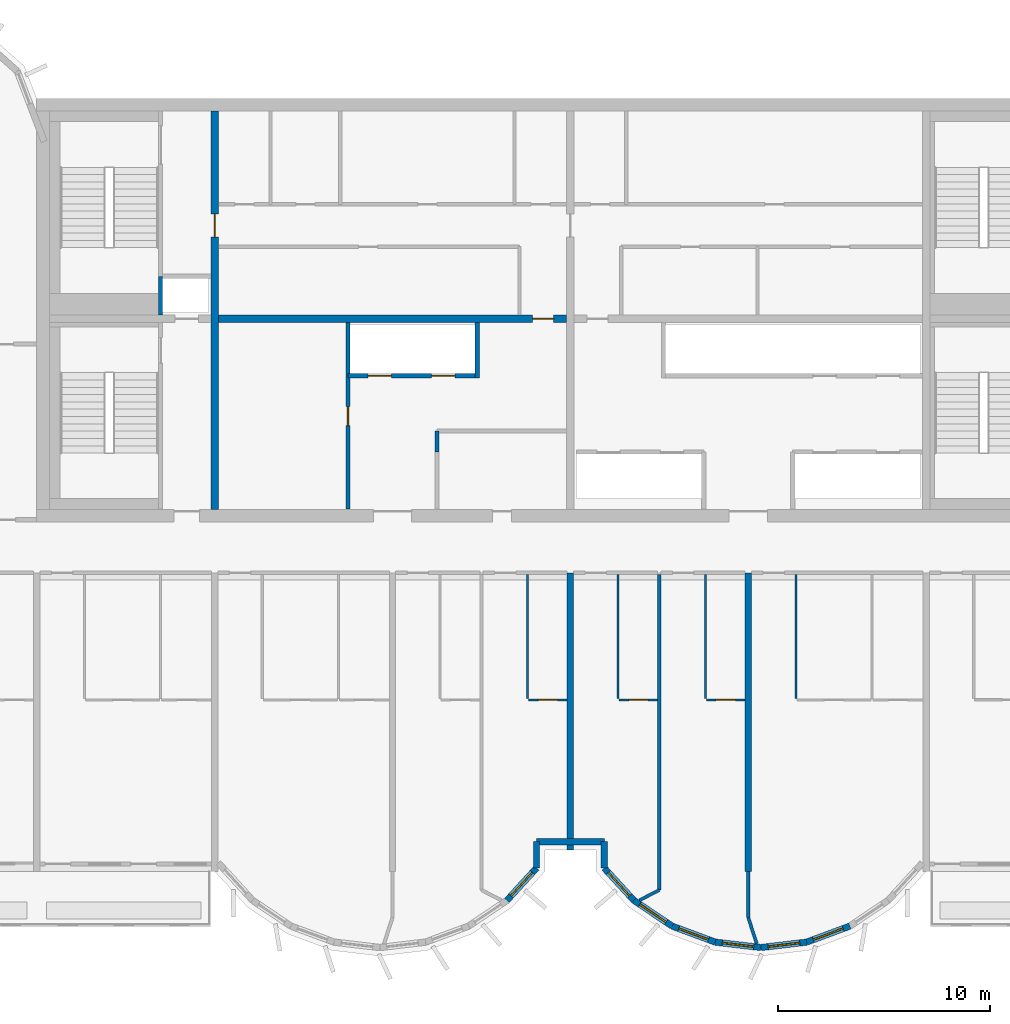
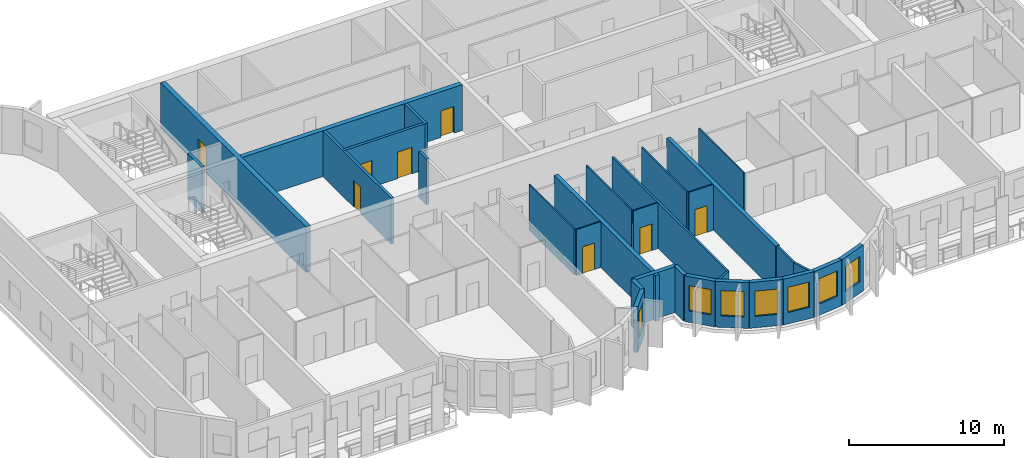
# One storey, part 4 of 11: 30 walls, 8 doors, 7 windows, 15 openings.
"""IFC4 building model written with IfcOpenShell, lengths in metres."""

from ifc_helpers import new_model, si_unit, direction, frame, frame_2d, origin, place, context, subcontext, project, spatial, rectangle, extrude, source, transform, mapped, material, layer, layer_set, type_object, element, fill, save


model = new_model("IFC4")

# Units and contexts
model_context = context("Model", 3, precision=1e-05, world=origin(), true_north=direction((0.0, 1.0)))
body_context = subcontext(model_context, "Body", "Model", "MODEL_VIEW")
ifc_project = project(units=[si_unit("LENGTHUNIT", "METRE"), si_unit("AREAUNIT", "SQUARE_METRE"), si_unit("VOLUMEUNIT", "CUBIC_METRE"), si_unit("PLANEANGLEUNIT", "RADIAN"), si_unit("MASSUNIT", "GRAM", prefix="KILO")], contexts=[model_context])

# Site, building, storey
site_placement = place(None, origin())
site = spatial("IfcSite", under=ifc_project, at=site_placement, CompositionType="ELEMENT")
building_placement = place(site_placement, origin())
building = spatial("IfcBuilding", under=site, at=building_placement, Name="Vanashikhar Sky Hotel", CompositionType="ELEMENT")
storey_placement = place(building_placement, frame((0.0, 0.0, 256.89990234375)))
storey = spatial("IfcBuildingStorey", under=building, at=storey_placement, Name="L62", CompositionType="ELEMENT", Elevation=256.89990234375)

# Wall, opening, door
ifc_material_1 = material(Name="Concrete M60", Category="concrete")
ifc_layer_1 = layer(ifc_material_1, 0.35009765625)
ifc_layer_set_1 = layer_set([ifc_layer_1], Name="RC core inner wall 350 Concrete M60")
wall_type_1 = type_object("IfcWallType", Name="RC core inner wall 350 Concrete M60", PredefinedType="SHEAR", material=ifc_layer_set_1)
shared_shape_1 = source(origin(), body_context, "Body", "SweptSolid", [
    extrude(rectangle(XDim=18.7998046875, YDim=0.35009765625, at=frame_2d((9.39990234375, 0.0))), origin(), (0.0, 0.0, 1.0), 3.6201171875),
])
wall_1_placement = place(storey_placement, frame((33.60009765625, 22.60009765625, 0.0), z_axis=(0.0, 0.0, 1.0), x_axis=(0.0, 1.0, 0.0)))
wall_1 = element("IfcWall", 1, at=wall_1_placement, inside=storey, type_object=wall_type_1, Name="KW-L62-KX1", PredefinedType="SHEAR", context=body_context, shape_type="MappedRepresentation", body=[
    mapped(shared_shape_1, transform((0.0, 0.0, 0.0), scale=1.0)),
])
shared_shape_2 = source(origin(), body_context, "Body", "SweptSolid", [
    extrude(rectangle(XDim=1.10009765625, YDim=2.10009765625, at=frame_2d((0.550048828125, 1.050048828125))), frame((0.0, 0.18505859375, 0.0), z_axis=(0.0, -1.0, 0.0), x_axis=(1.0, 0.0, 0.0)), (0.0, 0.0, 1.0), 0.3701171875),
])
opening_1_placement = place(wall_1_placement, frame((12.85009765625, 0.0, 0.0)))
opening_1 = element("IfcOpeningElement", 2, at=opening_1_placement, cuts=wall_1, Name="Opening DC-4-C", PredefinedType="OPENING", context=body_context, shape_type="MappedRepresentation", body=[
    mapped(shared_shape_2, transform((0.0, 0.0, 0.0), scale=1.0)),
])
ifc_material_2 = material(Name="Steel", Category="steel")
door_type_1 = type_object("IfcDoorType", Name="Service door 1100 FD60", OperationType="NOTDEFINED", PredefinedType="DOOR", material=ifc_material_2)
shared_shape_3 = source(origin(), body_context, "Body", "SweptSolid", [
    extrude(rectangle(XDim=1.10009765625, YDim=2.10009765625, at=frame_2d((0.550048828125, 1.050048828125))), frame((0.0, 0.02490234375, 0.0), z_axis=(0.0, -1.0, 0.0), x_axis=(1.0, 0.0, 0.0)), (0.0, 0.0, 1.0), 0.050048828125),
])
door_1_placement = place(opening_1_placement, origin())
door_1 = element("IfcDoor", 3, at=door_1_placement, inside=storey, type_object=door_type_1, Name="Service door 1100 FD60", OperationType="SINGLE_SWING_LEFT", OverallHeight=2.10009765625, OverallWidth=1.10009765625, PredefinedType="DOOR", context=body_context, shape_type="MappedRepresentation", body=[
    mapped(shared_shape_3, transform((0.0, 0.0, 0.0), scale=1.0)),
])
fill(opening_1, door_1)

shared_shape_4 = source(origin(), body_context, "Body", "SweptSolid", [
    extrude(rectangle(XDim=16.4501953125, YDim=0.35009765625, at=frame_2d((8.22509765625, 0.0))), origin(), (0.0, 0.0, 1.0), 3.6201171875),
])
wall_2_placement = place(storey_placement, frame((33.77490234375, 31.60009765625, 0.0), z_axis=(0.0, 0.0, 1.0), x_axis=(1.0, 0.0, 0.0)))
wall_2 = element("IfcWall", 4, at=wall_2_placement, inside=storey, type_object=wall_type_1, Name="KW-L62-KY2", PredefinedType="SHEAR", context=body_context, shape_type="MappedRepresentation", body=[
    mapped(shared_shape_4, transform((0.0, 0.0, 0.0), scale=1.0)),
])
shared_shape_5 = source(origin(), body_context, "Body", "SweptSolid", [
    extrude(rectangle(XDim=1.0, YDim=2.10009765625, at=frame_2d((0.5, 1.050048828125))), frame((0.0, 0.18505859375, 0.0), z_axis=(0.0, -1.0, 0.0), x_axis=(1.0, 0.0, 0.0)), (0.0, 0.0, 1.0), 0.3701171875),
])
opening_2_placement = place(wall_2_placement, frame((14.8369140625, 0.0, 0.0)))
opening_2 = element("IfcOpeningElement", 5, at=opening_2_placement, cuts=wall_2, Name="Opening DC-4", PredefinedType="OPENING", context=body_context, shape_type="MappedRepresentation", body=[
    mapped(shared_shape_5, transform((0.0, 0.0, 0.0), scale=1.0)),
])
door_type_2 = type_object("IfcDoorType", Name="Service door 1000 FD60", OperationType="NOTDEFINED", PredefinedType="DOOR", material=ifc_material_2)
shared_shape_6 = source(origin(), body_context, "Body", "SweptSolid", [
    extrude(rectangle(XDim=1.0, YDim=2.10009765625, at=frame_2d((0.5, 1.050048828125))), frame((0.0, 0.02490234375, 0.0), z_axis=(0.0, -1.0, 0.0), x_axis=(1.0, 0.0, 0.0)), (0.0, 0.0, 1.0), 0.050048828125),
])
door_2_placement = place(opening_2_placement, origin())
door_2 = element("IfcDoor", 6, at=door_2_placement, inside=storey, type_object=door_type_2, Name="Service door 1000 FD60", OperationType="SINGLE_SWING_LEFT", OverallHeight=2.10009765625, OverallWidth=1.0, PredefinedType="DOOR", context=body_context, shape_type="MappedRepresentation", body=[
    mapped(shared_shape_6, transform((0.0, 0.0, 0.0), scale=1.0)),
])
fill(opening_2, door_2)

# Walls
ifc_layer_2 = layer(ifc_material_1, 0.300048828125)
ifc_layer_set_2 = layer_set([ifc_layer_2], Name="RC shear wall 300 Concrete M60")
wall_type_2 = type_object("IfcWallType", Name="RC shear wall 300 Concrete M60", PredefinedType="SHEAR", material=ifc_layer_set_2)
shared_shape_7 = source(origin(), body_context, "Body", "SweptSolid", [
    extrude(rectangle(XDim=14.10009765625, YDim=0.300048828125, at=frame_2d((7.050048828125, 0.0))), origin(), (0.0, 0.0, 1.0), 3.6201171875),
])
wall_3_placement = place(storey_placement, frame((58.800048828125, 5.5, 0.0), z_axis=(0.0, 0.0, 1.0), x_axis=(0.0, 1.0, 0.0)))
element("IfcWall", 7, at=wall_3_placement, inside=storey, type_object=wall_type_2, Name="CW-L62-XW08-1", PredefinedType="SHEAR", context=body_context, shape_type="MappedRepresentation", body=[
    mapped(shared_shape_7, transform((0.0, 0.0, 0.0), scale=1.0)),
])
shared_shape_8 = source(origin(), body_context, "Body", "SweptSolid", [
    extrude(rectangle(XDim=13.10009765625, YDim=0.300048828125, at=frame_2d((6.550048828125, 0.0))), origin(), (0.0, 0.0, 1.0), 3.6201171875),
])
wall_4_placement = place(storey_placement, frame((50.39990234375, 6.5, 0.0), z_axis=(0.0, 0.0, 1.0), x_axis=(0.0, 1.0, 0.0)))
element("IfcWall", 8, at=wall_4_placement, inside=storey, type_object=wall_type_2, Name="CW-L62-XW07-1", PredefinedType="SHEAR", context=body_context, shape_type="MappedRepresentation", body=[
    mapped(shared_shape_8, transform((0.0, 0.0, 0.0), scale=1.0)),
])

# Wall, opening, window
ifc_material_3 = material(Name="Concrete M50", Category="concrete")
ifc_layer_3 = layer(ifc_material_3, 0.300048828125)
ifc_layer_set_3 = layer_set([ifc_layer_3], Name="Lobe wall 300")
wall_type_3 = type_object("IfcWallType", Name="Lobe wall 300", PredefinedType="SOLIDWALL", material=ifc_layer_set_3)
shared_shape_9 = source(origin(), body_context, "Body", "SweptSolid", [
    extrude(rectangle(XDim=2.17578125, YDim=0.300048828125, at=frame_2d((1.087890625, 0.0))), origin(), (0.0, 0.0, 1.0), 3.6201171875),
])
wall_5_placement = place(storey_placement, frame((53.395751953125, 4.13134765625, 0.0), z_axis=(0.0, 0.0, 1.0), x_axis=(0.829590746428, -0.558371913192, 0.0)))
wall_5 = element("IfcWall", 9, at=wall_5_placement, inside=storey, type_object=wall_type_3, Name="Lobe wall", PredefinedType="SOLIDWALL", context=body_context, shape_type="MappedRepresentation", body=[
    mapped(shared_shape_9, transform((0.0, 0.0, 0.0), scale=1.0)),
])
shared_shape_10 = source(origin(), body_context, "Body", "SweptSolid", [
    extrude(rectangle(XDim=1.5, YDim=2.0, at=frame_2d((0.75, 1.0))), frame((0.0, 0.16015625, 0.0), z_axis=(0.0, -1.0, 0.0), x_axis=(1.0, 0.0, 0.0)), (0.0, 0.0, 1.0), 0.320068359375),
])
opening_3_placement = place(wall_5_placement, frame((0.337890625, 0.0, 0.89990234375)))
opening_3 = element("IfcOpeningElement", 10, at=opening_3_placement, cuts=wall_5, Name="Opening WN-2", PredefinedType="OPENING", context=body_context, shape_type="MappedRepresentation", body=[
    mapped(shared_shape_10, transform((0.0, 0.0, 0.0), scale=1.0)),
])
ifc_material_4 = material(Name="Glass", Category="glass")
window_type = type_object("IfcWindowType", Name="Lobe window 1500 x 2000", PartitioningType="SINGLE_PANEL", PredefinedType="WINDOW", material=ifc_material_4)
shared_shape_11 = source(origin(), body_context, "Body", "SweptSolid", [
    extrude(rectangle(XDim=1.5, YDim=2.0, at=frame_2d((0.75, 1.0))), frame((0.0, 0.030029296875, 0.0), z_axis=(0.0, -1.0, 0.0), x_axis=(1.0, 0.0, 0.0)), (0.0, 0.0, 1.0), 0.06005859375),
])
window_1_placement = place(opening_3_placement, origin())
window_1 = element("IfcWindow", 11, at=window_1_placement, inside=storey, type_object=window_type, Name="Window WN-2", OverallHeight=2.0, OverallWidth=1.5, PartitioningType="SINGLE_PANEL", PredefinedType="WINDOW", context=body_context, shape_type="MappedRepresentation", body=[
    mapped(shared_shape_11, transform((0.0, 0.0, 0.0), scale=1.0)),
])
fill(opening_3, window_1)

wall_6_placement = place(storey_placement, frame((55.20068359375, 2.91650390625, 0.0), z_axis=(0.0, 0.0, 1.0), x_axis=(0.93754555999, -0.347862505801, 0.0)))
wall_6 = element("IfcWall", 12, at=wall_6_placement, inside=storey, type_object=wall_type_3, Name="Lobe wall", PredefinedType="SOLIDWALL", context=body_context, shape_type="MappedRepresentation", body=[
    mapped(shared_shape_9, transform((0.0, 0.0, 0.0), scale=1.0)),
])
opening_4_placement = place(wall_6_placement, frame((0.337890625, 0.0, 0.89990234375)))
opening_4 = element("IfcOpeningElement", 13, at=opening_4_placement, cuts=wall_6, Name="Opening WN-2", PredefinedType="OPENING", context=body_context, shape_type="MappedRepresentation", body=[
    mapped(shared_shape_10, transform((0.0, 0.0, 0.0), scale=1.0)),
])
window_2_placement = place(opening_4_placement, origin())
window_2 = element("IfcWindow", 14, at=window_2_placement, inside=storey, type_object=window_type, Name="Window WN-2", OverallHeight=2.0, OverallWidth=1.5, PartitioningType="SINGLE_PANEL", PredefinedType="WINDOW", context=body_context, shape_type="MappedRepresentation", body=[
    mapped(shared_shape_11, transform((0.0, 0.0, 0.0), scale=1.0)),
])
fill(opening_4, window_2)

shared_shape_12 = source(origin(), body_context, "Body", "SweptSolid", [
    extrude(rectangle(XDim=2.174560546875, YDim=0.300048828125, at=frame_2d((1.08740234375, 0.0))), origin(), (0.0, 0.0, 1.0), 3.6201171875),
])
wall_7_placement = place(storey_placement, frame((57.240478515625, 2.15966796875, 0.0), z_axis=(0.0, 0.0, 1.0), x_axis=(0.993001132889, -0.118104826659, 0.0)))
wall_7 = element("IfcWall", 15, at=wall_7_placement, inside=storey, type_object=wall_type_3, Name="Lobe wall", PredefinedType="SOLIDWALL", context=body_context, shape_type="MappedRepresentation", body=[
    mapped(shared_shape_12, transform((0.0, 0.0, 0.0), scale=1.0)),
])
opening_5_placement = place(wall_7_placement, frame((0.33740234375, 0.0, 0.89990234375)))
opening_5 = element("IfcOpeningElement", 16, at=opening_5_placement, cuts=wall_7, Name="Opening WN-2", PredefinedType="OPENING", context=body_context, shape_type="MappedRepresentation", body=[
    mapped(shared_shape_10, transform((0.0, 0.0, 0.0), scale=1.0)),
])
window_3_placement = place(opening_5_placement, origin())
window_3 = element("IfcWindow", 17, at=window_3_placement, inside=storey, type_object=window_type, Name="Window WN-2", OverallHeight=2.0, OverallWidth=1.5, PartitioningType="SINGLE_PANEL", PredefinedType="WINDOW", context=body_context, shape_type="MappedRepresentation", body=[
    mapped(shared_shape_11, transform((0.0, 0.0, 0.0), scale=1.0)),
])
fill(opening_5, window_3)

shared_shape_13 = source(origin(), body_context, "Body", "SweptSolid", [
    extrude(rectangle(XDim=2.1748046875, YDim=0.300048828125, at=frame_2d((1.08740234375, 0.0))), origin(), (0.0, 0.0, 1.0), 3.6201171875),
])
wall_8_placement = place(storey_placement, frame((59.39990234375, 1.90283203125, 0.0), z_axis=(0.0, 0.0, 1.0), x_axis=(0.993002698611, 0.118091661648, 0.0)))
wall_8 = element("IfcWall", 18, at=wall_8_placement, inside=storey, type_object=wall_type_3, Name="Lobe wall", PredefinedType="SOLIDWALL", context=body_context, shape_type="MappedRepresentation", body=[
    mapped(shared_shape_13, transform((0.0, 0.0, 0.0), scale=1.0)),
])
opening_6_placement = place(wall_8_placement, frame((0.33740234375, 0.0, 0.89990234375)))
opening_6 = element("IfcOpeningElement", 19, at=opening_6_placement, cuts=wall_8, Name="Opening WN-2", PredefinedType="OPENING", context=body_context, shape_type="MappedRepresentation", body=[
    mapped(shared_shape_10, transform((0.0, 0.0, 0.0), scale=1.0)),
])
window_4_placement = place(opening_6_placement, origin())
window_4 = element("IfcWindow", 20, at=window_4_placement, inside=storey, type_object=window_type, Name="Window WN-2", OverallHeight=2.0, OverallWidth=1.5, PartitioningType="SINGLE_PANEL", PredefinedType="WINDOW", context=body_context, shape_type="MappedRepresentation", body=[
    mapped(shared_shape_11, transform((0.0, 0.0, 0.0), scale=1.0)),
])
fill(opening_6, window_4)

shared_shape_14 = source(origin(), body_context, "Body", "SweptSolid", [
    extrude(rectangle(XDim=2.175537109375, YDim=0.300048828125, at=frame_2d((1.087890625, 0.0))), origin(), (0.0, 0.0, 1.0), 3.6201171875),
])
wall_9_placement = place(storey_placement, frame((61.5595703125, 2.15966796875, 0.0), z_axis=(0.0, 0.0, 1.0), x_axis=(0.937531979054, 0.347899106424, 0.0)))
wall_9 = element("IfcWall", 21, at=wall_9_placement, inside=storey, type_object=wall_type_3, Name="Lobe wall", PredefinedType="SOLIDWALL", context=body_context, shape_type="MappedRepresentation", body=[
    mapped(shared_shape_14, transform((0.0, 0.0, 0.0), scale=1.0)),
])
opening_7_placement = place(wall_9_placement, frame((0.337890625, 0.0, 0.89990234375)))
opening_7 = element("IfcOpeningElement", 22, at=opening_7_placement, cuts=wall_9, Name="Opening WN-2", PredefinedType="OPENING", context=body_context, shape_type="MappedRepresentation", body=[
    mapped(shared_shape_10, transform((0.0, 0.0, 0.0), scale=1.0)),
])
window_5_placement = place(opening_7_placement, origin())
window_5 = element("IfcWindow", 23, at=window_5_placement, inside=storey, type_object=window_type, Name="Window WN-2", OverallHeight=2.0, OverallWidth=1.5, PartitioningType="SINGLE_PANEL", PredefinedType="WINDOW", context=body_context, shape_type="MappedRepresentation", body=[
    mapped(shared_shape_11, transform((0.0, 0.0, 0.0), scale=1.0)),
])
fill(opening_7, window_5)

shared_shape_15 = source(origin(), body_context, "Body", "SweptSolid", [
    extrude(rectangle(XDim=2.066650390625, YDim=0.300048828125, at=frame_2d((1.033203125, 0.0))), origin(), (0.0, 0.0, 1.0), 3.6201171875),
])
wall_10_placement = place(storey_placement, frame((47.404296875, 4.13134765625, 0.0), z_axis=(0.0, 0.0, 1.0), x_axis=(0.675355439877, 0.737492393065, 0.0)))
wall_10 = element("IfcWall", 24, at=wall_10_placement, inside=storey, type_object=wall_type_3, Name="Lobe wall", PredefinedType="SOLIDWALL", context=body_context, shape_type="MappedRepresentation", body=[
    mapped(shared_shape_15, transform((0.0, 0.0, 0.0), scale=1.0)),
])
opening_8_placement = place(wall_10_placement, frame((0.283447265625, 0.0, 0.89990234375)))
opening_8 = element("IfcOpeningElement", 25, at=opening_8_placement, cuts=wall_10, Name="Opening WN-2", PredefinedType="OPENING", context=body_context, shape_type="MappedRepresentation", body=[
    mapped(shared_shape_10, transform((0.0, 0.0, 0.0), scale=1.0)),
])
window_6_placement = place(opening_8_placement, origin())
window_6 = element("IfcWindow", 26, at=window_6_placement, inside=storey, type_object=window_type, Name="Window WN-2", OverallHeight=2.0, OverallWidth=1.5, PartitioningType="SINGLE_PANEL", PredefinedType="WINDOW", context=body_context, shape_type="MappedRepresentation", body=[
    mapped(shared_shape_11, transform((0.0, 0.0, 0.0), scale=1.0)),
])
fill(opening_8, window_6)

wall_11_placement = place(storey_placement, frame((52.0, 5.655517578125, 0.0), z_axis=(0.0, 0.0, 1.0), x_axis=(0.675355439877, -0.737492393065, 0.0)))
wall_11 = element("IfcWall", 27, at=wall_11_placement, inside=storey, type_object=wall_type_3, Name="Lobe wall", PredefinedType="SOLIDWALL", context=body_context, shape_type="MappedRepresentation", body=[
    mapped(shared_shape_15, transform((0.0, 0.0, 0.0), scale=1.0)),
])
opening_9_placement = place(wall_11_placement, frame((0.283447265625, 0.0, 0.89990234375)))
opening_9 = element("IfcOpeningElement", 28, at=opening_9_placement, cuts=wall_11, Name="Opening WN-2", PredefinedType="OPENING", context=body_context, shape_type="MappedRepresentation", body=[
    mapped(shared_shape_10, transform((0.0, 0.0, 0.0), scale=1.0)),
])
window_7_placement = place(opening_9_placement, origin())
window_7 = element("IfcWindow", 29, at=window_7_placement, inside=storey, type_object=window_type, Name="Window WN-2", OverallHeight=2.0, OverallWidth=1.5, PartitioningType="SINGLE_PANEL", PredefinedType="WINDOW", context=body_context, shape_type="MappedRepresentation", body=[
    mapped(shared_shape_11, transform((0.0, 0.0, 0.0), scale=1.0)),
])
fill(opening_9, window_7)

# Walls
shared_shape_16 = source(origin(), body_context, "Body", "SweptSolid", [
    extrude(rectangle(XDim=1.244384765625, YDim=0.300048828125, at=frame_2d((0.6220703125, 0.0))), origin(), (0.0, 0.0, 1.0), 3.6201171875),
])
for number, where, z_axis, x_axis, name in (
    (30, (48.800048828125, 5.655517578125, 0.0), (0.0, 0.0, 1.0), (0.0, 1.0, 0.0), "Groove wall"),
    (31, (52.0, 6.89990234375, 0.0), (0.0, 0.0, 1.0), (0.0, -1.0, 0.0), "Groove wall"),
):
    element("IfcWall", number, at=place(storey_placement, frame(where, z_axis=z_axis, x_axis=x_axis)), inside=storey, type_object=wall_type_3, Name=name, PredefinedType="SOLIDWALL", context=body_context, shape_type="MappedRepresentation", body=[
        mapped(shared_shape_16, transform((0.0, 0.0, 0.0), scale=1.0)),
    ])
shared_shape_17 = source(origin(), body_context, "Body", "SweptSolid", [
    extrude(rectangle(XDim=3.199951171875, YDim=0.300048828125, at=frame_2d((1.60009765625, 0.0))), origin(), (0.0, 0.0, 1.0), 3.6201171875),
])
wall_12_placement = place(storey_placement, frame((48.800048828125, 6.89990234375, 0.0), z_axis=(0.0, 0.0, 1.0), x_axis=(1.0, 0.0, 0.0)))
element("IfcWall", 32, at=wall_12_placement, inside=storey, type_object=wall_type_3, Name="Groove wall", PredefinedType="SOLIDWALL", context=body_context, shape_type="MappedRepresentation", body=[
    mapped(shared_shape_17, transform((0.0, 0.0, 0.0), scale=1.0)),
])

# Wall, openings, doors
ifc_material_5 = material(Name="Concrete M40", Category="concrete")
ifc_layer_4 = layer(ifc_material_5, 0.199951171875)
ifc_layer_set_4 = layer_set([ifc_layer_4], Name="Shaft wall 200")
wall_type_4 = type_object("IfcWallType", Name="Shaft wall 200", PredefinedType="SOLIDWALL", material=ifc_layer_set_4)
shared_shape_18 = source(origin(), body_context, "Body", "SweptSolid", [
    extrude(rectangle(XDim=6.0, YDim=0.199951171875, at=frame_2d((3.0, 0.0))), origin(), (0.0, 0.0, 1.0), 3.6201171875),
])
wall_13_placement = place(storey_placement, frame((39.89990234375, 28.89990234375, 0.0), z_axis=(0.0, 0.0, 1.0), x_axis=(1.0, 0.0, 0.0)))
wall_13 = element("IfcWall", 33, at=wall_13_placement, inside=storey, type_object=wall_type_4, Name="Shaft wall 200", PredefinedType="SOLIDWALL", context=body_context, shape_type="MappedRepresentation", body=[
    mapped(shared_shape_18, transform((0.0, 0.0, 0.0), scale=1.0)),
])
shared_shape_19 = source(origin(), body_context, "Body", "SweptSolid", [
    extrude(rectangle(XDim=1.10009765625, YDim=2.10009765625, at=frame_2d((0.550048828125, 1.050048828125))), frame((0.0, 0.10986328125, 0.0), z_axis=(0.0, -1.0, 0.0), x_axis=(1.0, 0.0, 0.0)), (0.0, 0.0, 1.0), 0.219970703125),
])
opening_10_placement = place(wall_13_placement, frame((0.949951171875, 0.0, 0.0)))
opening_10 = element("IfcOpeningElement", 34, at=opening_10_placement, cuts=wall_13, Name="Opening LD", PredefinedType="OPENING", context=body_context, shape_type="MappedRepresentation", body=[
    mapped(shared_shape_19, transform((0.0, 0.0, 0.0), scale=1.0)),
])
opening_11_placement = place(wall_13_placement, frame((3.949951171875, 0.0, 0.0)))
opening_11 = element("IfcOpeningElement", 35, at=opening_11_placement, cuts=wall_13, Name="Opening LD", PredefinedType="OPENING", context=body_context, shape_type="MappedRepresentation", body=[
    mapped(shared_shape_19, transform((0.0, 0.0, 0.0), scale=1.0)),
])
ifc_material_6 = material(Name="Stainless steel", Category="steel")
door_type_3 = type_object("IfcDoorType", Name="Lift landing door 1100", OperationType="NOTDEFINED", PredefinedType="DOOR", material=ifc_material_6)
door_3_placement = place(opening_10_placement, origin())
door_3 = element("IfcDoor", 36, at=door_3_placement, inside=storey, type_object=door_type_3, Name="Lift landing door 1100", OperationType="SLIDING_TO_LEFT", OverallHeight=2.10009765625, OverallWidth=1.10009765625, PredefinedType="DOOR", context=body_context, shape_type="MappedRepresentation", body=[
    mapped(shared_shape_3, transform((0.0, 0.0, 0.0), scale=1.0)),
])
fill(opening_10, door_3)
door_4_placement = place(opening_11_placement, origin())
door_4 = element("IfcDoor", 37, at=door_4_placement, inside=storey, type_object=door_type_3, Name="Lift landing door 1100", OperationType="SLIDING_TO_RIGHT", OverallHeight=2.10009765625, OverallWidth=1.10009765625, PredefinedType="DOOR", context=body_context, shape_type="MappedRepresentation", body=[
    mapped(shared_shape_3, transform((0.0, 0.0, 0.0), scale=1.0)),
])
fill(opening_11, door_4)

# Wall, opening, door
ifc_material_7 = material(Name="Gypsum board partition")
ifc_layer_5 = layer(ifc_material_7, 0.14990234375)
ifc_layer_set_5 = layer_set([ifc_layer_5], Name="Service partition 150")
wall_type_5 = type_object("IfcWallType", Name="Service partition 150", PredefinedType="PARTITIONING", material=ifc_layer_set_5)
shared_shape_20 = source(origin(), body_context, "Body", "SweptSolid", [
    extrude(rectangle(XDim=8.824951171875, YDim=0.199951171875, at=frame_2d((4.41259765625, 0.0))), origin(), (0.0, 0.0, 1.0), 3.6201171875),
])
wall_14_placement = place(storey_placement, frame((39.89990234375, 22.60009765625, 0.0), z_axis=(0.0, 0.0, 1.0), x_axis=(0.0, 1.0, 0.0)))
wall_14 = element("IfcWall", 38, at=wall_14_placement, inside=storey, type_object=wall_type_5, Name="Service partition 150", PredefinedType="PARTITIONING", context=body_context, shape_type="MappedRepresentation", body=[
    mapped(shared_shape_20, transform((0.0, 0.0, 0.0), scale=1.0)),
])
shared_shape_21 = source(origin(), body_context, "Body", "SweptSolid", [
    extrude(rectangle(XDim=0.89990234375, YDim=2.10009765625, at=frame_2d((0.449951171875, 1.050048828125))), frame((0.0, 0.10986328125, 0.0), z_axis=(0.0, -1.0, 0.0), x_axis=(1.0, 0.0, 0.0)), (0.0, 0.0, 1.0), 0.219970703125),
])
opening_12_placement = place(wall_14_placement, frame((3.949951171875, 0.0, 0.0)))
opening_12 = element("IfcOpeningElement", 39, at=opening_12_placement, cuts=wall_14, Name="Opening DC-4-A", PredefinedType="OPENING", context=body_context, shape_type="MappedRepresentation", body=[
    mapped(shared_shape_21, transform((0.0, 0.0, 0.0), scale=1.0)),
])
door_type_4 = type_object("IfcDoorType", Name="Service door 900 FD60", OperationType="NOTDEFINED", PredefinedType="DOOR", material=ifc_material_2)
shared_shape_22 = source(origin(), body_context, "Body", "SweptSolid", [
    extrude(rectangle(XDim=0.89990234375, YDim=2.10009765625, at=frame_2d((0.449951171875, 1.050048828125))), frame((0.0, 0.02490234375, 0.0), z_axis=(0.0, -1.0, 0.0), x_axis=(1.0, 0.0, 0.0)), (0.0, 0.0, 1.0), 0.050048828125),
])
door_5_placement = place(opening_12_placement, origin())
door_5 = element("IfcDoor", 40, at=door_5_placement, inside=storey, type_object=door_type_4, Name="Service door 900 FD60", OperationType="SINGLE_SWING_RIGHT", OverallHeight=2.10009765625, OverallWidth=0.89990234375, PredefinedType="DOOR", context=body_context, shape_type="MappedRepresentation", body=[
    mapped(shared_shape_22, transform((0.0, 0.0, 0.0), scale=1.0)),
])
fill(opening_12, door_5)

# Walls
shared_shape_23 = source(origin(), body_context, "Body", "SweptSolid", [
    extrude(rectangle(XDim=2.625, YDim=0.199951171875, at=frame_2d((1.3125, 0.0))), origin(), (0.0, 0.0, 1.0), 3.6201171875),
])
wall_15_placement = place(storey_placement, frame((46.0, 28.800048828125, 0.0), z_axis=(0.0, 0.0, 1.0), x_axis=(0.0, 1.0, 0.0)))
element("IfcWall", 41, at=wall_15_placement, inside=storey, type_object=wall_type_4, Name="Shaft wall 200", PredefinedType="SOLIDWALL", context=body_context, shape_type="MappedRepresentation", body=[
    mapped(shared_shape_23, transform((0.0, 0.0, 0.0), scale=1.0)),
])
shared_shape_24 = source(origin(), body_context, "Body", "SweptSolid", [
    extrude(rectangle(XDim=1.0, YDim=0.199951171875, at=frame_2d((0.5, 0.0))), origin(), (0.0, 0.0, 1.0), 3.6201171875),
])
wall_16_placement = place(storey_placement, frame((44.10009765625, 25.300048828125, 0.0), z_axis=(0.0, 0.0, 1.0), x_axis=(0.0, 1.0, 0.0)))
element("IfcWall", 42, at=wall_16_placement, inside=storey, type_object=wall_type_5, Name="Service partition 150", PredefinedType="PARTITIONING", context=body_context, shape_type="MappedRepresentation", body=[
    mapped(shared_shape_24, transform((0.0, 0.0, 0.0), scale=1.0)),
])
shared_shape_25 = source(origin(), body_context, "Body", "SweptSolid", [
    extrude(rectangle(XDim=1.8251953125, YDim=0.199951171875, at=frame_2d((0.91259765625, 0.0))), origin(), (0.0, 0.0, 1.0), 3.6201171875),
])
wall_17_placement = place(storey_placement, frame((31.050048828125, 31.77490234375, 0.0), z_axis=(0.0, 0.0, 1.0), x_axis=(0.0, 1.0, 0.0)))
element("IfcWall", 43, at=wall_17_placement, inside=storey, type_object=wall_type_4, Name="Shaft wall 200", PredefinedType="SOLIDWALL", context=body_context, shape_type="MappedRepresentation", body=[
    mapped(shared_shape_25, transform((0.0, 0.0, 0.0), scale=1.0)),
])
ifc_material_8 = material(Name="Gypsum plasterboard partition")
ifc_layer_6 = layer(ifc_material_8, 0.14990234375)
ifc_layer_set_6 = layer_set([ifc_layer_6], Name="Corridor and demising partition 150")
wall_type_6 = type_object("IfcWallType", Name="Corridor and demising partition 150", PredefinedType="PARTITIONING", material=ifc_layer_set_6)
shared_shape_26 = source(origin(), body_context, "Body", "SweptSolid", [
    extrude(rectangle(XDim=14.906005859375, YDim=0.14990234375, at=frame_2d((7.453125, 0.0))), origin(), (0.0, 0.0, 1.0), 3.6201171875),
])
wall_18_placement = place(storey_placement, frame((54.60009765625, 4.618896484375, 0.0), z_axis=(0.0, 0.0, 1.0), x_axis=(0.0, 1.0, 0.0)))
element("IfcWall", 44, at=wall_18_placement, inside=storey, type_object=wall_type_6, Name="W-L62-PW031", PredefinedType="PARTITIONING", context=body_context, shape_type="MappedRepresentation", body=[
    mapped(shared_shape_26, transform((0.0, 0.0, 0.0), scale=1.0)),
])
shared_shape_27 = source(origin(), body_context, "Body", "SweptSolid", [
    extrude(rectangle(XDim=2.177978515625, YDim=0.14990234375, at=frame_2d((1.0888671875, 0.0))), origin(), (0.0, 0.0, 1.0), 3.6201171875),
])
wall_19_placement = place(storey_placement, frame((58.800048828125, 3.322021484375, 0.0), z_axis=(0.0, 0.0, 1.0), x_axis=(0.0, 1.0, 0.0)))
element("IfcWall", 45, at=wall_19_placement, inside=storey, type_object=wall_type_6, Name="W-L62-PW048", PredefinedType="PARTITIONING", context=body_context, shape_type="MappedRepresentation", body=[
    mapped(shared_shape_27, transform((0.0, 0.0, 0.0), scale=1.0)),
])
shared_shape_28 = source(origin(), body_context, "Body", "SweptSolid", [
    extrude(rectangle(XDim=1.057861328125, YDim=0.14990234375, at=frame_2d((0.52880859375, 0.0))), origin(), (0.0, 0.0, 1.0), 3.6201171875),
])
wall_20_placement = place(storey_placement, frame((53.659912109375, 4.134033203125, 0.0), z_axis=(0.0, 0.0, 1.0), x_axis=(0.888772319209, 0.458348955063, 0.0)))
element("IfcWall", 46, at=wall_20_placement, inside=storey, type_object=wall_type_6, Name="W-L62-PW031B0", PredefinedType="PARTITIONING", context=body_context, shape_type="MappedRepresentation", body=[
    mapped(shared_shape_28, transform((0.0, 0.0, 0.0), scale=1.0)),
])
shared_shape_29 = source(origin(), body_context, "Body", "SweptSolid", [
    extrude(rectangle(XDim=1.308349609375, YDim=0.14990234375, at=frame_2d((0.654296875, 0.0))), origin(), (0.0, 0.0, 1.0), 3.6201171875),
])
wall_21_placement = place(storey_placement, frame((59.201904296875, 2.076904296875, 0.0), z_axis=(0.0, 0.0, 1.0), x_axis=(-0.307144529633, 0.951662880392, 0.0)))
element("IfcWall", 47, at=wall_21_placement, inside=storey, type_object=wall_type_6, Name="W-L62-PW048B0", PredefinedType="PARTITIONING", context=body_context, shape_type="MappedRepresentation", body=[
    mapped(shared_shape_29, transform((0.0, 0.0, 0.0), scale=1.0)),
])
ifc_layer_7 = layer(ifc_material_8, 0.10009765625)
ifc_layer_set_7 = layer_set([ifc_layer_7], Name="Wet room partition 100")
wall_type_7 = type_object("IfcWallType", Name="Wet room partition 100", PredefinedType="PARTITIONING", material=ifc_layer_set_7)
shared_shape_30 = source(origin(), body_context, "Body", "SweptSolid", [
    extrude(rectangle(XDim=5.849853515625, YDim=0.10009765625, at=frame_2d((2.9248046875, 0.0))), origin(), (0.0, 0.0, 1.0), 3.6201171875),
])
for number, where, z_axis, x_axis, name in (
    (48, (48.375, 13.675048828125, 0.0), (0.0, 0.0, 1.0), (0.0, 1.0, 0.0), "W-L62-PW021"),
    (49, (52.64990234375, 13.675048828125, 0.0), (0.0, 0.0, 1.0), (0.0, 1.0, 0.0), "W-L62-PW025"),
    (50, (56.77490234375, 13.675048828125, 0.0), (0.0, 0.0, 1.0), (0.0, 1.0, 0.0), "W-L62-PW028"),
    (51, (61.050048828125, 13.675048828125, 0.0), (0.0, 0.0, 1.0), (0.0, 1.0, 0.0), "W-L62-PW032"),
):
    element("IfcWall", number, at=place(storey_placement, frame(where, z_axis=z_axis, x_axis=x_axis)), inside=storey, type_object=wall_type_7, Name=name, PredefinedType="PARTITIONING", context=body_context, shape_type="MappedRepresentation", body=[
        mapped(shared_shape_30, transform((0.0, 0.0, 0.0), scale=1.0)),
    ])

# Wall, opening, door
shared_shape_31 = source(origin(), body_context, "Body", "SweptSolid", [
    extrude(rectangle(XDim=1.824951171875, YDim=0.10009765625, at=frame_2d((0.91259765625, 0.0))), origin(), (0.0, 0.0, 1.0), 3.6201171875),
])
wall_22_placement = place(storey_placement, frame((48.425048828125, 13.60009765625, 0.0), z_axis=(0.0, 0.0, 1.0), x_axis=(1.0, 0.0, 0.0)))
wall_22 = element("IfcWall", 52, at=wall_22_placement, inside=storey, type_object=wall_type_7, Name="W-L62-PW022", PredefinedType="PARTITIONING", context=body_context, shape_type="MappedRepresentation", body=[
    mapped(shared_shape_31, transform((0.0, 0.0, 0.0), scale=1.0)),
])
shared_shape_32 = source(origin(), body_context, "Body", "SweptSolid", [
    extrude(rectangle(XDim=0.89990234375, YDim=2.10009765625, at=frame_2d((0.449951171875, 1.050048828125))), frame((0.0, 0.06005859375, 0.0), z_axis=(0.0, -1.0, 0.0), x_axis=(1.0, 0.0, 0.0)), (0.0, 0.0, 1.0), 0.1201171875),
])
opening_13_placement = place(wall_22_placement, frame((0.462890625, 0.0, 0.0)))
opening_13 = element("IfcOpeningElement", 53, at=opening_13_placement, cuts=wall_22, Name="Opening D-02", PredefinedType="OPENING", context=body_context, shape_type="MappedRepresentation", body=[
    mapped(shared_shape_32, transform((0.0, 0.0, 0.0), scale=1.0)),
])
ifc_material_9 = material(Name="Timber door", Category="wood")
door_type_5 = type_object("IfcDoorType", Name="Internal door 900", OperationType="NOTDEFINED", PredefinedType="DOOR", material=ifc_material_9)
door_6_placement = place(opening_13_placement, origin())
door_6 = element("IfcDoor", 54, at=door_6_placement, inside=storey, type_object=door_type_5, Name="D-L62-013", OperationType="SINGLE_SWING_LEFT", OverallHeight=2.10009765625, OverallWidth=0.89990234375, PredefinedType="DOOR", context=body_context, shape_type="MappedRepresentation", body=[
    mapped(shared_shape_22, transform((0.0, 0.0, 0.0), scale=1.0)),
])
fill(opening_13, door_6)

wall_23_placement = place(storey_placement, frame((52.699951171875, 13.60009765625, 0.0), z_axis=(0.0, 0.0, 1.0), x_axis=(1.0, 0.0, 0.0)))
wall_23 = element("IfcWall", 55, at=wall_23_placement, inside=storey, type_object=wall_type_7, Name="W-L62-PW026", PredefinedType="PARTITIONING", context=body_context, shape_type="MappedRepresentation", body=[
    mapped(shared_shape_31, transform((0.0, 0.0, 0.0), scale=1.0)),
])
opening_14_placement = place(wall_23_placement, frame((0.4619140625, 0.0, 0.0)))
opening_14 = element("IfcOpeningElement", 56, at=opening_14_placement, cuts=wall_23, Name="Opening D-02", PredefinedType="OPENING", context=body_context, shape_type="MappedRepresentation", body=[
    mapped(shared_shape_32, transform((0.0, 0.0, 0.0), scale=1.0)),
])
door_7_placement = place(opening_14_placement, origin())
door_7 = element("IfcDoor", 57, at=door_7_placement, inside=storey, type_object=door_type_5, Name="D-L62-015", OperationType="SINGLE_SWING_LEFT", OverallHeight=2.10009765625, OverallWidth=0.89990234375, PredefinedType="DOOR", context=body_context, shape_type="MappedRepresentation", body=[
    mapped(shared_shape_22, transform((0.0, 0.0, 0.0), scale=1.0)),
])
fill(opening_14, door_7)

wall_24_placement = place(storey_placement, frame((56.824951171875, 13.60009765625, 0.0), z_axis=(0.0, 0.0, 1.0), x_axis=(1.0, 0.0, 0.0)))
wall_24 = element("IfcWall", 58, at=wall_24_placement, inside=storey, type_object=wall_type_7, Name="W-L62-PW029", PredefinedType="PARTITIONING", context=body_context, shape_type="MappedRepresentation", body=[
    mapped(shared_shape_31, transform((0.0, 0.0, 0.0), scale=1.0)),
])
opening_15_placement = place(wall_24_placement, frame((0.4619140625, 0.0, 0.0)))
opening_15 = element("IfcOpeningElement", 59, at=opening_15_placement, cuts=wall_24, Name="Opening D-02", PredefinedType="OPENING", context=body_context, shape_type="MappedRepresentation", body=[
    mapped(shared_shape_32, transform((0.0, 0.0, 0.0), scale=1.0)),
])
door_8_placement = place(opening_15_placement, origin())
door_8 = element("IfcDoor", 60, at=door_8_placement, inside=storey, type_object=door_type_5, Name="D-L62-017", OperationType="SINGLE_SWING_LEFT", OverallHeight=2.10009765625, OverallWidth=0.89990234375, PredefinedType="DOOR", context=body_context, shape_type="MappedRepresentation", body=[
    mapped(shared_shape_22, transform((0.0, 0.0, 0.0), scale=1.0)),
])
fill(opening_15, door_8)

save(model, "model.ifc")
